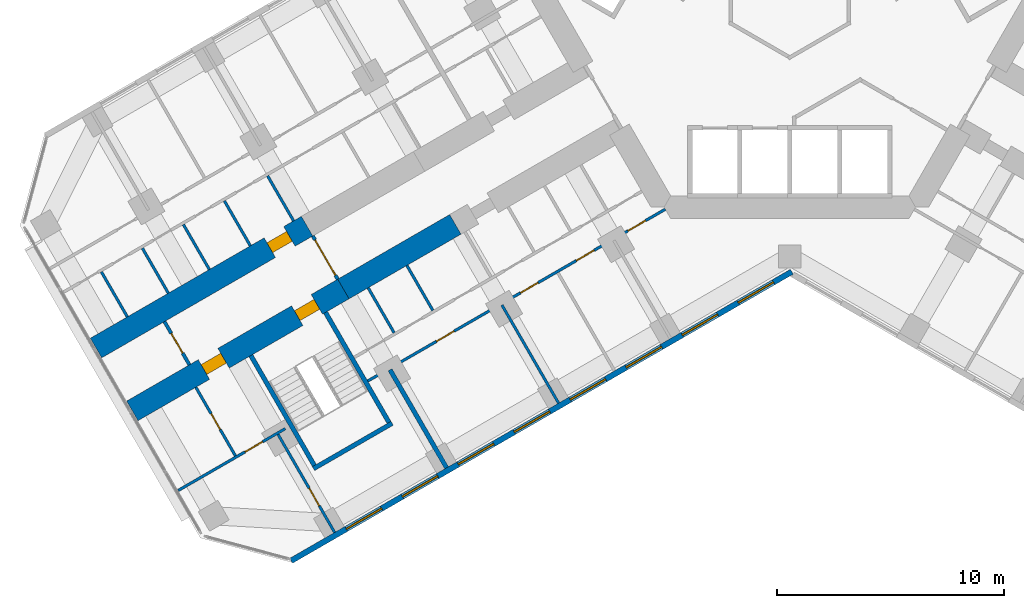
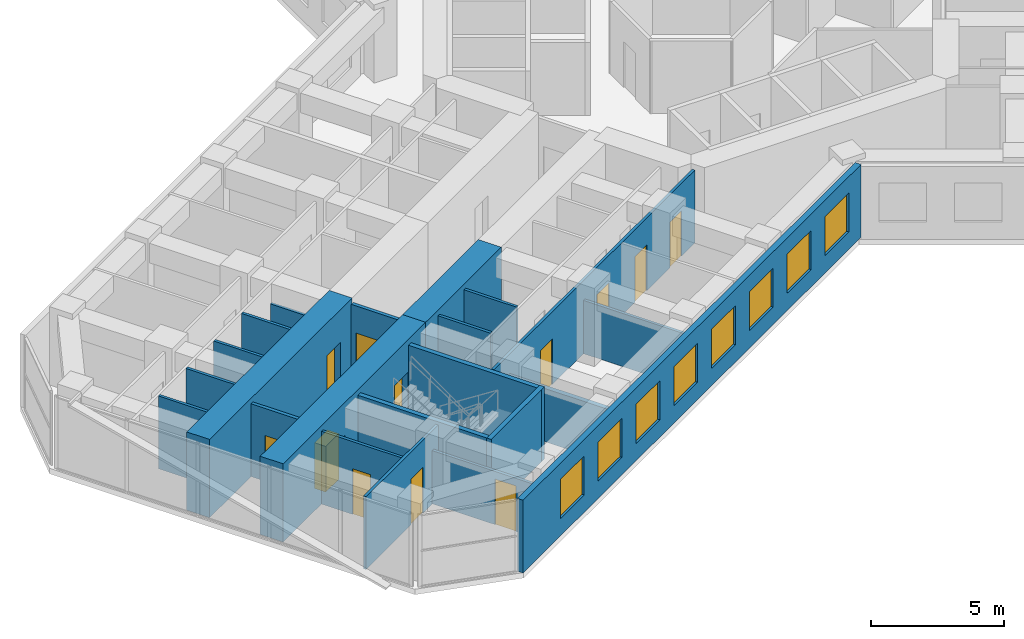
# One storey, part 10 of 21: 22 walls, 12 doors, 8 windows, 20 openings.
"""IFC4 building model written with IfcOpenShell, lengths in metres."""

from ifc_helpers import new_model, si_unit, direction, frame, frame_2d, origin, place, context, subcontext, project, spatial, rectangle, extrude, material, layer, layer_set, type_object, element, fill, save


model = new_model("IFC4")

# Units and contexts
model_context = context("Model", 3, precision=1e-05, world=origin(), true_north=direction((0.0, 1.0)))
body_context = subcontext(model_context, "Body", "Model", "MODEL_VIEW")
ifc_project = project(units=[si_unit("LENGTHUNIT", "METRE"), si_unit("AREAUNIT", "SQUARE_METRE"), si_unit("VOLUMEUNIT", "CUBIC_METRE"), si_unit("PLANEANGLEUNIT", "RADIAN"), si_unit("MASSUNIT", "GRAM", prefix="KILO")], contexts=[model_context])

# Site, building, storey
site_placement = place(None, origin())
site = spatial("IfcSite", under=ifc_project, at=site_placement, CompositionType="ELEMENT")
building_placement = place(site_placement, origin())
building = spatial("IfcBuilding", under=site, at=building_placement, Name="Kosmar Iwan School Tower", CompositionType="ELEMENT")
storey_placement = place(building_placement, frame((0.0, 0.0, 50.199951171875)))
storey = spatial("IfcBuildingStorey", under=building, at=storey_placement, Name="L11", CompositionType="ELEMENT", Elevation=50.199951171875)

# Wall
ifc_material_1 = material(Name="Concrete C50/60", Category="concrete")
ifc_layer_1 = layer(ifc_material_1, 1.0)
ifc_layer_set_1 = layer_set([ifc_layer_1], Name="Corridor buttress wall 1000")
wall_type_1 = type_object("IfcWallType", Name="Corridor buttress wall 1000", PredefinedType="SHEAR", material=ifc_layer_set_1)
wall_1_placement = place(storey_placement, frame((-14.7451171875, -10.360595703125, 0.0), z_axis=(0.0, 0.0, 1.0), x_axis=(-0.866015111908, -0.50001782563, 0.0)))
element("IfcWall", 1, at=wall_1_placement, inside=storey, type_object=wall_type_1, Name="Corridor wall BL bay 2", PredefinedType="SHEAR", context=body_context, shape_type="SweptSolid", body=[
    extrude(rectangle(XDim=5.699951171875, YDim=1.0, at=frame_2d((2.85009765625, 0.0))), origin(), (0.0, 0.0, 1.0), 3.60009765625),
])

# Wall, openings, doors
wall_2_placement = place(storey_placement, frame((-19.681396484375, -13.210693359375, 0.0), z_axis=(0.0, 0.0, 1.0), x_axis=(-0.866028186671, -0.499995179869, 0.0)))
wall_2 = element("IfcWall", 2, at=wall_2_placement, inside=storey, type_object=wall_type_1, Name="Corridor wall BL bay 3", PredefinedType="SHEAR", context=body_context, shape_type="SweptSolid", body=[
    extrude(rectangle(XDim=10.7451171875, YDim=1.0, at=frame_2d((5.37255859375, 0.0))), origin(), (0.0, 0.0, 1.0), 3.60009765625),
])
opening_1_placement = place(wall_2_placement, frame((6.10009765625, 0.0, 0.0)))
opening_1 = element("IfcOpeningElement", 3, at=opening_1_placement, cuts=wall_2, Name="Opening D1", PredefinedType="OPENING", context=body_context, shape_type="SweptSolid", body=[
    extrude(rectangle(XDim=1.0, YDim=2.10009765625, at=frame_2d((0.5, 1.050048828125))), frame((0.0, 0.511962890625, 0.0), z_axis=(0.0, -1.0, 0.0), x_axis=(1.0, 0.0, 0.0)), (0.0, 0.0, 1.0), 1.02392578125),
])
opening_2_placement = place(wall_2_placement, frame((1.35009765625, 0.0, 0.0)))
opening_2 = element("IfcOpeningElement", 4, at=opening_2_placement, cuts=wall_2, Name="Opening D6", PredefinedType="OPENING", context=body_context, shape_type="SweptSolid", body=[
    extrude(rectangle(XDim=1.0, YDim=2.10009765625, at=frame_2d((0.5, 1.050048828125))), frame((0.0, 0.511962890625, 0.0), z_axis=(0.0, -1.0, 0.0), x_axis=(1.0, 0.0, 0.0)), (0.0, 0.0, 1.0), 1.02392578125),
])
ifc_material_2 = material(Name="Timber fire door in steel frame", Category="steel")
door_type_1 = type_object("IfcDoorType", Name="Flat entrance door 1000x2100", OperationType="SINGLE_SWING_LEFT", PredefinedType="DOOR", material=ifc_material_2)
door_1_placement = place(opening_1_placement, origin())
door_1 = element("IfcDoor", 5, at=door_1_placement, inside=storey, type_object=door_type_1, Name="Flat L11-BL2 entrance door", OperationType="SINGLE_SWING_RIGHT", OverallHeight=2.10009765625, OverallWidth=1.0, PredefinedType="DOOR", context=body_context, shape_type="SweptSolid", body=[
    extrude(rectangle(XDim=1.0, YDim=2.10009765625, at=frame_2d((0.5, 1.050048828125))), frame((0.0, 0.25, 0.0), z_axis=(0.0, -1.0, 0.0), x_axis=(1.0, 0.0, 0.0)), (0.0, 0.0, 1.0), 0.5),
])
fill(opening_1, door_1)
ifc_material_3 = material(Name="Steel fire door", Category="steel")
door_type_2 = type_object("IfcDoorType", Name="Stair door 1000x2100", OperationType="SINGLE_SWING_LEFT", PredefinedType="DOOR", material=ifc_material_3)
door_2_placement = place(opening_2_placement, origin())
door_2 = element("IfcDoor", 6, at=door_2_placement, inside=storey, type_object=door_type_2, Name="Stair WS2 door L11", OperationType="SINGLE_SWING_LEFT", OverallHeight=2.10009765625, OverallWidth=1.0, PredefinedType="DOOR", context=body_context, shape_type="SweptSolid", body=[
    extrude(rectangle(XDim=1.0, YDim=2.10009765625, at=frame_2d((0.5, 1.050048828125))), frame((0.0, 0.25, 0.0), z_axis=(0.0, -1.0, 0.0), x_axis=(1.0, 0.0, 0.0)), (0.0, 0.0, 1.0), 0.5),
])
fill(opening_2, door_2)

# Wall, opening, door
wall_3_placement = place(storey_placement, frame((-21.281494140625, -10.439453125, 0.0), z_axis=(0.0, 0.0, 1.0), x_axis=(-0.866032345022, -0.499987977232, 0.0)))
wall_3 = element("IfcWall", 7, at=wall_3_placement, inside=storey, type_object=wall_type_1, Name="Corridor wall BR bay 3", PredefinedType="SHEAR", context=body_context, shape_type="SweptSolid", body=[
    extrude(rectangle(XDim=10.744873046875, YDim=1.0, at=frame_2d((5.37255859375, 0.0))), origin(), (0.0, 0.0, 1.0), 3.60009765625),
])
opening_3_placement = place(wall_3_placement, frame((0.89990234375, 0.0, 0.0)))
opening_3 = element("IfcOpeningElement", 8, at=opening_3_placement, cuts=wall_3, Name="Opening D1", PredefinedType="OPENING", context=body_context, shape_type="SweptSolid", body=[
    extrude(rectangle(XDim=1.0, YDim=2.10009765625, at=frame_2d((0.5, 1.050048828125))), frame((0.0, 0.511962890625, 0.0), z_axis=(0.0, -1.0, 0.0), x_axis=(1.0, 0.0, 0.0)), (0.0, 0.0, 1.0), 1.02392578125),
])
door_3_placement = place(opening_3_placement, origin())
door_3 = element("IfcDoor", 9, at=door_3_placement, inside=storey, type_object=door_type_1, Name="Flat L11-BR2 entrance door", OperationType="SINGLE_SWING_LEFT", OverallHeight=2.10009765625, OverallWidth=1.0, PredefinedType="DOOR", context=body_context, shape_type="SweptSolid", body=[
    extrude(rectangle(XDim=1.0, YDim=2.10009765625, at=frame_2d((0.5, 1.050048828125))), frame((0.0, 0.25, 0.0), z_axis=(0.0, -1.0, 0.0), x_axis=(1.0, 0.0, 0.0)), (0.0, 0.0, 1.0), 0.5),
])
fill(opening_3, door_3)

ifc_material_4 = material(Name="Gypsum board on steel studs, fire-rated", Category="steel")
ifc_layer_2 = layer(ifc_material_4, 0.14990234375)
ifc_layer_set_2 = layer_set([ifc_layer_2], Name="Corridor end wall 150")
wall_type_2 = type_object("IfcWallType", Name="Corridor end wall 150", PredefinedType="PARTITIONING", material=ifc_layer_set_2)
wall_4_placement = place(storey_placement, frame((-27.570068359375, -14.6474609375, 0.0), z_axis=(0.0, 0.0, 1.0), x_axis=(0.50002983664, -0.866008176907, 0.0)))
wall_4 = element("IfcWall", 10, at=wall_4_placement, inside=storey, type_object=wall_type_2, Name="Partition L11-B-CE", PredefinedType="PARTITIONING", context=body_context, shape_type="SweptSolid", body=[
    extrude(rectangle(XDim=2.199951171875, YDim=0.14990234375, at=frame_2d((1.10009765625, 0.0))), origin(), (0.0, 0.0, 1.0), 3.35009765625),
])
opening_4_placement = place(wall_4_placement, frame((0.60009765625, 0.0, 0.0)))
opening_4 = element("IfcOpeningElement", 11, at=opening_4_placement, cuts=wall_4, Name="Opening D13", PredefinedType="OPENING", context=body_context, shape_type="SweptSolid", body=[
    extrude(rectangle(XDim=1.0, YDim=2.10009765625, at=frame_2d((0.5, 1.050048828125))), frame((0.0, 0.0869140625, 0.0), z_axis=(0.0, -1.0, 0.0), x_axis=(1.0, 0.0, 0.0)), (0.0, 0.0, 1.0), 0.173828125),
])
ifc_material_5 = material(Name="Timber fire door with vision panel", Category="wood")
door_type_3 = type_object("IfcDoorType", Name="Corridor end door 1000x2100", OperationType="SINGLE_SWING_LEFT", PredefinedType="DOOR", material=ifc_material_5)
door_4_placement = place(opening_4_placement, origin())
door_4 = element("IfcDoor", 12, at=door_4_placement, inside=storey, type_object=door_type_3, Name="Children's play room door L11-B", OperationType="SINGLE_SWING_LEFT", OverallHeight=2.10009765625, OverallWidth=1.0, PredefinedType="DOOR", context=body_context, shape_type="SweptSolid", body=[
    extrude(rectangle(XDim=1.0, YDim=2.10009765625, at=frame_2d((0.5, 1.050048828125))), frame((0.0, 0.02490234375, 0.0), z_axis=(0.0, -1.0, 0.0), x_axis=(1.0, 0.0, 0.0)), (0.0, 0.0, 1.0), 0.050048828125),
])
fill(opening_4, door_4)

wall_5_placement = place(storey_placement, frame((-21.031494140625, -10.872314453125, 0.0), z_axis=(0.0, 0.0, 1.0), x_axis=(0.50002983664, -0.866008176907, 0.0)))
wall_5 = element("IfcWall", 13, at=wall_5_placement, inside=storey, type_object=wall_type_2, Name="Partition L11-B-HW", PredefinedType="PARTITIONING", context=body_context, shape_type="SweptSolid", body=[
    extrude(rectangle(XDim=2.199951171875, YDim=0.14990234375, at=frame_2d((1.10009765625, 0.0))), origin(), (0.0, 0.0, 1.0), 3.35009765625),
])
opening_5_placement = place(wall_5_placement, frame((0.199951171875, 0.0, 0.0)))
opening_5 = element("IfcOpeningElement", 14, at=opening_5_placement, cuts=wall_5, Name="Opening D9", PredefinedType="OPENING", context=body_context, shape_type="SweptSolid", body=[
    extrude(rectangle(XDim=1.800048828125, YDim=2.10009765625, at=frame_2d((0.89990234375, 1.050048828125))), frame((0.0, 0.0869140625, 0.0), z_axis=(0.0, -1.0, 0.0), x_axis=(1.0, 0.0, 0.0)), (0.0, 0.0, 1.0), 0.173828125),
])
ifc_material_6 = material(Name="Steel framed glazed smoke door", Category="steel")
door_type_4 = type_object("IfcDoorType", Name="Corridor smoke door pair 1800x2100", OperationType="DOUBLE_DOOR_DOUBLE_SWING", PredefinedType="DOOR", material=ifc_material_6)
door_5_placement = place(opening_5_placement, origin())
door_5 = element("IfcDoor", 15, at=door_5_placement, inside=storey, type_object=door_type_4, Name="Entrance vestibule smoke doors L11-B", OperationType="DOUBLE_DOOR_DOUBLE_SWING", OverallHeight=2.10009765625, OverallWidth=1.800048828125, PredefinedType="DOOR", context=body_context, shape_type="SweptSolid", body=[
    extrude(rectangle(XDim=1.800048828125, YDim=2.10009765625, at=frame_2d((0.89990234375, 1.050048828125))), frame((0.0, 0.02490234375, 0.0), z_axis=(0.0, -1.0, 0.0), x_axis=(1.0, 0.0, 0.0)), (0.0, 0.0, 1.0), 0.050048828125),
])
fill(opening_5, door_5)

# Wall, openings, doors
ifc_material_7 = material(Name="Gypsum board on steel studs", Category="steel")
ifc_layer_3 = layer(ifc_material_7, 0.1201171875)
ifc_layer_set_3 = layer_set([ifc_layer_3], Name="Dwelling partition 120")
wall_type_3 = type_object("IfcWallType", Name="Dwelling partition 120", PredefinedType="PARTITIONING", material=ifc_layer_set_3)
wall_6_placement = place(storey_placement, frame((-5.48876953125, -9.693115234375, 0.0), z_axis=(0.0, 0.0, 1.0), x_axis=(-0.866028061085, -0.499995397393, 0.0)))
wall_6 = element("IfcWall", 16, at=wall_6_placement, inside=storey, type_object=wall_type_3, Name="Partition L11-BL1-W2", PredefinedType="PARTITIONING", context=body_context, shape_type="SweptSolid", body=[
    extrude(rectangle(XDim=15.150146484375, YDim=0.1201171875, at=frame_2d((7.5751953125, 0.0))), origin(), (0.0, 0.0, 1.0), 3.35009765625),
])
opening_6_placement = place(wall_6_placement, frame((1.0, 0.0, 0.0)))
opening_6 = element("IfcOpeningElement", 17, at=opening_6_placement, cuts=wall_6, Name="Opening D2", PredefinedType="OPENING", context=body_context, shape_type="SweptSolid", body=[
    extrude(rectangle(XDim=0.89990234375, YDim=2.10009765625, at=frame_2d((0.449951171875, 1.050048828125))), frame((0.0, 0.072021484375, 0.0), z_axis=(0.0, -1.0, 0.0), x_axis=(1.0, 0.0, 0.0)), (0.0, 0.0, 1.0), 0.14404296875),
])
opening_7_placement = place(wall_6_placement, frame((3.625, 0.0, 0.0)))
opening_7 = element("IfcOpeningElement", 18, at=opening_7_placement, cuts=wall_6, Name="Opening D2", PredefinedType="OPENING", context=body_context, shape_type="SweptSolid", body=[
    extrude(rectangle(XDim=0.89990234375, YDim=2.10009765625, at=frame_2d((0.449951171875, 1.050048828125))), frame((0.0, 0.072021484375, 0.0), z_axis=(0.0, -1.0, 0.0), x_axis=(1.0, 0.0, 0.0)), (0.0, 0.0, 1.0), 0.14404296875),
])
opening_8_placement = place(wall_6_placement, frame((6.47509765625, 0.0, 0.0)))
opening_8 = element("IfcOpeningElement", 19, at=opening_8_placement, cuts=wall_6, Name="Opening D2", PredefinedType="OPENING", context=body_context, shape_type="SweptSolid", body=[
    extrude(rectangle(XDim=0.89990234375, YDim=2.10009765625, at=frame_2d((0.449951171875, 1.050048828125))), frame((0.0, 0.072021484375, 0.0), z_axis=(0.0, -1.0, 0.0), x_axis=(1.0, 0.0, 0.0)), (0.0, 0.0, 1.0), 0.14404296875),
])
opening_9_placement = place(wall_6_placement, frame((10.75, 0.0, 0.0)))
opening_9 = element("IfcOpeningElement", 20, at=opening_9_placement, cuts=wall_6, Name="Opening D2", PredefinedType="OPENING", context=body_context, shape_type="SweptSolid", body=[
    extrude(rectangle(XDim=0.89990234375, YDim=2.10009765625, at=frame_2d((0.449951171875, 1.050048828125))), frame((0.0, 0.072021484375, 0.0), z_axis=(0.0, -1.0, 0.0), x_axis=(1.0, 0.0, 0.0)), (0.0, 0.0, 1.0), 0.14404296875),
])
ifc_material_8 = material(Name="Timber door in timber frame", Category="wood")
door_type_5 = type_object("IfcDoorType", Name="Internal door 900x2100", OperationType="SINGLE_SWING_LEFT", PredefinedType="DOOR", material=ifc_material_8)
door_6_placement = place(opening_6_placement, origin())
door_6 = element("IfcDoor", 21, at=door_6_placement, inside=storey, type_object=door_type_5, Name="Family room door L11-BL1-F1", OperationType="SINGLE_SWING_LEFT", OverallHeight=2.10009765625, OverallWidth=0.89990234375, PredefinedType="DOOR", context=body_context, shape_type="SweptSolid", body=[
    extrude(rectangle(XDim=0.89990234375, YDim=2.10009765625, at=frame_2d((0.449951171875, 1.050048828125))), frame((0.0, 0.02490234375, 0.0), z_axis=(0.0, -1.0, 0.0), x_axis=(1.0, 0.0, 0.0)), (0.0, 0.0, 1.0), 0.050048828125),
])
fill(opening_6, door_6)
door_7_placement = place(opening_7_placement, origin())
door_7 = element("IfcDoor", 22, at=door_7_placement, inside=storey, type_object=door_type_5, Name="Study door L11-BL1-F2", OperationType="SINGLE_SWING_LEFT", OverallHeight=2.10009765625, OverallWidth=0.89990234375, PredefinedType="DOOR", context=body_context, shape_type="SweptSolid", body=[
    extrude(rectangle(XDim=0.89990234375, YDim=2.10009765625, at=frame_2d((0.449951171875, 1.050048828125))), frame((0.0, 0.02490234375, 0.0), z_axis=(0.0, -1.0, 0.0), x_axis=(1.0, 0.0, 0.0)), (0.0, 0.0, 1.0), 0.050048828125),
])
fill(opening_7, door_7)
door_8_placement = place(opening_8_placement, origin())
door_8 = element("IfcDoor", 23, at=door_8_placement, inside=storey, type_object=door_type_5, Name="Bedroom 1 door L11-BL1-F3", OperationType="SINGLE_SWING_RIGHT", OverallHeight=2.10009765625, OverallWidth=0.89990234375, PredefinedType="DOOR", context=body_context, shape_type="SweptSolid", body=[
    extrude(rectangle(XDim=0.89990234375, YDim=2.10009765625, at=frame_2d((0.449951171875, 1.050048828125))), frame((0.0, 0.02490234375, 0.0), z_axis=(0.0, -1.0, 0.0), x_axis=(1.0, 0.0, 0.0)), (0.0, 0.0, 1.0), 0.050048828125),
])
fill(opening_8, door_8)
door_9_placement = place(opening_9_placement, origin())
door_9 = element("IfcDoor", 24, at=door_9_placement, inside=storey, type_object=door_type_5, Name="Living room and kitchen door L11-BL1-F4", OperationType="SINGLE_SWING_LEFT", OverallHeight=2.10009765625, OverallWidth=0.89990234375, PredefinedType="DOOR", context=body_context, shape_type="SweptSolid", body=[
    extrude(rectangle(XDim=0.89990234375, YDim=2.10009765625, at=frame_2d((0.449951171875, 1.050048828125))), frame((0.0, 0.02490234375, 0.0), z_axis=(0.0, -1.0, 0.0), x_axis=(1.0, 0.0, 0.0)), (0.0, 0.0, 1.0), 0.050048828125),
])
fill(opening_9, door_9)

# Walls
wall_7_placement = place(storey_placement, frame((-12.690185546875, -13.919921875, 0.0), z_axis=(0.0, 0.0, 1.0), x_axis=(0.500011847778, -0.866018563358, 0.0)))
element("IfcWall", 25, at=wall_7_placement, inside=storey, type_object=wall_type_3, Name="Partition L11-BL1-X3", PredefinedType="PARTITIONING", context=body_context, shape_type="SweptSolid", body=[
    extrude(rectangle(XDim=4.990234375, YDim=0.1201171875, at=frame_2d((2.4951171875, 0.0))), origin(), (0.0, 0.0, 1.0), 2.449951171875),
])
wall_8_placement = place(storey_placement, frame((-16.8828125, -12.172119140625, 0.0), z_axis=(0.0, 0.0, 1.0), x_axis=(0.499968531483, -0.866043571379, 0.0)))
element("IfcWall", 26, at=wall_8_placement, inside=storey, type_object=wall_type_3, Name="Partition L11-BL1-Y5", PredefinedType="PARTITIONING", context=body_context, shape_type="SweptSolid", body=[
    extrude(rectangle(XDim=2.290283203125, YDim=0.1201171875, at=frame_2d((1.14501953125, 0.0))), origin(), (0.0, 0.0, 1.0), 3.35009765625),
])
wall_9_placement = place(storey_placement, frame((-18.59033203125, -13.157958984375, 0.0), z_axis=(0.0, 0.0, 1.0), x_axis=(0.500014693593, -0.866016920268, 0.0)))
element("IfcWall", 27, at=wall_9_placement, inside=storey, type_object=wall_type_3, Name="Partition L11-BL1-Y6", PredefinedType="PARTITIONING", context=body_context, shape_type="SweptSolid", body=[
    extrude(rectangle(XDim=2.2900390625, YDim=0.1201171875, at=frame_2d((1.14501953125, 0.0))), origin(), (0.0, 0.0, 1.0), 3.35009765625),
])

# Wall, opening, door
wall_10_placement = place(storey_placement, frame((-22.562744140625, -19.6201171875, 0.0), z_axis=(0.0, 0.0, 1.0), x_axis=(0.499996339024, -0.86602751744, 0.0)))
wall_10 = element("IfcWall", 28, at=wall_10_placement, inside=storey, type_object=wall_type_3, Name="Partition L11-BL2-TX", PredefinedType="PARTITIONING", context=body_context, shape_type="SweptSolid", body=[
    extrude(rectangle(XDim=4.98974609375, YDim=0.1201171875, at=frame_2d((2.494873046875, 0.0))), origin(), (0.0, 0.0, 1.0), 2.449951171875),
])
opening_10_placement = place(wall_10_placement, frame((2.739990234375, 0.0, 0.0)))
opening_10 = element("IfcOpeningElement", 29, at=opening_10_placement, cuts=wall_10, Name="Opening D2", PredefinedType="OPENING", context=body_context, shape_type="SweptSolid", body=[
    extrude(rectangle(XDim=0.89990234375, YDim=2.10009765625, at=frame_2d((0.449951171875, 1.050048828125))), frame((0.0, 0.072021484375, 0.0), z_axis=(0.0, -1.0, 0.0), x_axis=(1.0, 0.0, 0.0)), (0.0, 0.0, 1.0), 0.14404296875),
])
door_10_placement = place(opening_10_placement, origin())
door_10 = element("IfcDoor", 30, at=door_10_placement, inside=storey, type_object=door_type_5, Name="Bedroom 1 door L11-BL2-T1", OperationType="SINGLE_SWING_RIGHT", OverallHeight=2.10009765625, OverallWidth=0.89990234375, PredefinedType="DOOR", context=body_context, shape_type="SweptSolid", body=[
    extrude(rectangle(XDim=0.89990234375, YDim=2.10009765625, at=frame_2d((0.449951171875, 1.050048828125))), frame((0.0, 0.02490234375, 0.0), z_axis=(0.0, -1.0, 0.0), x_axis=(1.0, 0.0, 0.0)), (0.0, 0.0, 1.0), 0.050048828125),
])
fill(opening_10, door_10)

wall_11_placement = place(storey_placement, frame((-22.246337890625, -19.3681640625, 0.0), z_axis=(0.0, 0.0, 1.0), x_axis=(-0.866035508231, -0.499982498177, 0.0)))
wall_11 = element("IfcWall", 31, at=wall_11_placement, inside=storey, type_object=wall_type_3, Name="Partition L11-BL2-TW", PredefinedType="PARTITIONING", context=body_context, shape_type="SweptSolid", body=[
    extrude(rectangle(XDim=5.445068359375, YDim=0.1201171875, at=frame_2d((2.72265625, 0.0))), origin(), (0.0, 0.0, 1.0), 3.35009765625),
])
opening_11_placement = place(wall_11_placement, frame((1.14990234375, 0.0, 0.0)))
opening_11 = element("IfcOpeningElement", 32, at=opening_11_placement, cuts=wall_11, Name="Opening D2", PredefinedType="OPENING", context=body_context, shape_type="SweptSolid", body=[
    extrude(rectangle(XDim=0.89990234375, YDim=2.10009765625, at=frame_2d((0.449951171875, 1.050048828125))), frame((0.0, 0.072021484375, 0.0), z_axis=(0.0, -1.0, 0.0), x_axis=(1.0, 0.0, 0.0)), (0.0, 0.0, 1.0), 0.14404296875),
])
door_11_placement = place(opening_11_placement, origin())
door_11 = element("IfcDoor", 33, at=door_11_placement, inside=storey, type_object=door_type_5, Name="Entrance hall door L11-BL2-T3", OperationType="SINGLE_SWING_LEFT", OverallHeight=2.10009765625, OverallWidth=0.89990234375, PredefinedType="DOOR", context=body_context, shape_type="SweptSolid", body=[
    extrude(rectangle(XDim=0.89990234375, YDim=2.10009765625, at=frame_2d((0.449951171875, 1.050048828125))), frame((0.0, 0.02490234375, 0.0), z_axis=(0.0, -1.0, 0.0), x_axis=(1.0, 0.0, 0.0)), (0.0, 0.0, 1.0), 0.050048828125),
])
fill(opening_11, door_11)

wall_12_placement = place(storey_placement, frame((-26.1865234375, -17.543701171875, 0.0), z_axis=(0.0, 0.0, 1.0), x_axis=(0.50002117804, -0.866013176292, 0.0)))
wall_12 = element("IfcWall", 34, at=wall_12_placement, inside=storey, type_object=wall_type_3, Name="Partition L11-BL2-TY", PredefinedType="PARTITIONING", context=body_context, shape_type="SweptSolid", body=[
    extrude(rectangle(XDim=3.489990234375, YDim=0.1201171875, at=frame_2d((1.7451171875, 0.0))), origin(), (0.0, 0.0, 1.0), 3.35009765625),
])
opening_12_placement = place(wall_12_placement, frame((1.344970703125, 0.0, 0.0)))
opening_12 = element("IfcOpeningElement", 35, at=opening_12_placement, cuts=wall_12, Name="Opening D3", PredefinedType="OPENING", context=body_context, shape_type="SweptSolid", body=[
    extrude(rectangle(XDim=0.800048828125, YDim=2.10009765625, at=frame_2d((0.39990234375, 1.050048828125))), frame((0.0, 0.072021484375, 0.0), z_axis=(0.0, -1.0, 0.0), x_axis=(1.0, 0.0, 0.0)), (0.0, 0.0, 1.0), 0.14404296875),
])
ifc_material_9 = material(Name="Timber door in timber frame", Category="wood")
door_type_6 = type_object("IfcDoorType", Name="Sanitary room door 800x2100", OperationType="SINGLE_SWING_LEFT", PredefinedType="DOOR", material=ifc_material_9)
door_12_placement = place(opening_12_placement, origin())
door_12 = element("IfcDoor", 36, at=door_12_placement, inside=storey, type_object=door_type_6, Name="Bathroom door L11-BL2-T4", OperationType="SINGLE_SWING_LEFT", OverallHeight=2.10009765625, OverallWidth=0.800048828125, PredefinedType="DOOR", context=body_context, shape_type="SweptSolid", body=[
    extrude(rectangle(XDim=0.800048828125, YDim=2.10009765625, at=frame_2d((0.39990234375, 1.050048828125))), frame((0.0, 0.02490234375, 0.0), z_axis=(0.0, -1.0, 0.0), x_axis=(1.0, 0.0, 0.0)), (0.0, 0.0, 1.0), 0.050048828125),
])
fill(opening_12, door_12)

# Walls
wall_13_placement = place(storey_placement, frame((-21.8779296875, -10.206298828125, 0.0), z_axis=(0.0, 0.0, 1.0), x_axis=(-0.500014693593, 0.866016920268, 0.0)))
element("IfcWall", 37, at=wall_13_placement, inside=storey, type_object=wall_type_3, Name="Partition L11-BR2-Y3", PredefinedType="PARTITIONING", context=body_context, shape_type="SweptSolid", body=[
    extrude(rectangle(XDim=2.2900390625, YDim=0.1201171875, at=frame_2d((1.14501953125, 0.0))), origin(), (0.0, 0.0, 1.0), 2.449951171875),
])
for number, where, z_axis, x_axis, name in (
    (38, (-23.783203125, -11.306396484375, 0.0), (0.0, 0.0, 1.0), (-0.500014693593, 0.866016920268, 0.0), "Partition L11-BR2-Y4"),
    (39, (-25.591064453125, -12.35009765625, 0.0), (0.0, 0.0, 1.0), (-0.500014693593, 0.866016920268, 0.0), "Partition L11-BR2-Y5"),
    (40, (-27.39892578125, -13.393798828125, 0.0), (0.0, 0.0, 1.0), (-0.500014693593, 0.866016920268, 0.0), "Partition L11-BR2-Y6"),
    (41, (-29.20654296875, -14.4375, 0.0), (0.0, 0.0, 1.0), (-0.500014693593, 0.866016920268, 0.0), "Partition L11-BR2-Y7"),
):
    element("IfcWall", number, at=place(storey_placement, frame(where, z_axis=z_axis, x_axis=x_axis)), inside=storey, type_object=wall_type_3, Name=name, PredefinedType="PARTITIONING", context=body_context, shape_type="SweptSolid", body=[
        extrude(rectangle(XDim=2.2900390625, YDim=0.1201171875, at=frame_2d((1.14501953125, 0.0))), origin(), (0.0, 0.0, 1.0), 3.35009765625),
    ])
ifc_material_10 = material(Name="Concrete C35/45", Category="concrete")
ifc_layer_4 = layer(ifc_material_10, 0.199951171875)
ifc_layer_set_4 = layer_set([ifc_layer_4], Name="Escape stair wall 200")
wall_type_4 = type_object("IfcWallType", Name="Escape stair wall 200", PredefinedType="SHEAR", material=ifc_layer_set_4)
for number, where, z_axis, x_axis, name in (
    (42, (-20.470703125, -14.24365234375, 0.0), (0.0, 0.0, 1.0), (0.499987231761, -0.866032775405, 0.0), "Stair WS2 wall"),
    (43, (-23.76171875, -16.1435546875, 0.0), (0.0, 0.0, 1.0), (0.500018801468, -0.86601454848, 0.0), "Stair WS2 wall"),
):
    element("IfcWall", number, at=place(storey_placement, frame(where, z_axis=z_axis, x_axis=x_axis)), inside=storey, type_object=wall_type_4, Name=name, PredefinedType="SHEAR", context=body_context, shape_type="SweptSolid", body=[
        extrude(rectangle(XDim=5.800048828125, YDim=0.199951171875, at=frame_2d((2.89990234375, 0.0))), origin(), (0.0, 0.0, 1.0), 3.330078125),
    ])
wall_14_placement = place(storey_placement, frame((-17.5341796875, -19.1298828125, 0.0), z_axis=(0.0, 0.0, 1.0), x_axis=(-0.866026010844, -0.49999894854, 0.0)))
element("IfcWall", 44, at=wall_14_placement, inside=storey, type_object=wall_type_4, Name="Stair WS2 wall", PredefinedType="SHEAR", context=body_context, shape_type="SweptSolid", body=[
    extrude(rectangle(XDim=4.0, YDim=0.199951171875, at=frame_2d((2.0, 0.0))), origin(), (0.0, 0.0, 1.0), 3.330078125),
])

# Wall, openings, windows
ifc_material_11 = material(Name="Black aluminium rainscreen on insulated framing", Category="aluminium")
ifc_layer_5 = layer(ifc_material_11, 0.25)
ifc_layer_set_5 = layer_set([ifc_layer_5], Name="External wall rainscreen 250")
wall_type_5 = type_object("IfcWallType", Name="External wall rainscreen 250", PredefinedType="SOLIDWALL", material=ifc_layer_set_5)
wall_15_placement = place(storey_placement, frame((0.088134765625, -12.44873046875, 0.0), z_axis=(0.0, 0.0, 1.0), x_axis=(-0.866026390279, -0.499998291337, 0.0)))
wall_15 = element("IfcWall", 45, at=wall_15_placement, inside=storey, type_object=wall_type_5, Name="External wall BL L11", PredefinedType="SOLIDWALL", context=body_context, shape_type="SweptSolid", body=[
    extrude(rectangle(XDim=25.4873046875, YDim=0.25, at=frame_2d((12.74365234375, 0.0))), origin(), (0.0, 0.0, 1.0), 3.35009765625),
])
opening_13_placement = place(wall_15_placement, frame((0.927001953125, 0.0, 0.800048828125)))
opening_13 = element("IfcOpeningElement", 46, at=opening_13_placement, cuts=wall_15, Name="Opening W1", PredefinedType="OPENING", context=body_context, shape_type="SweptSolid", body=[
    extrude(rectangle(XDim=1.800048828125, YDim=1.800048828125, at=frame_2d((0.89990234375, 0.89990234375))), frame((0.0, 0.136962890625, 0.0), z_axis=(0.0, -1.0, 0.0), x_axis=(1.0, 0.0, 0.0)), (0.0, 0.0, 1.0), 0.27392578125),
])
opening_14_placement = place(wall_15_placement, frame((3.777099609375, 0.0, 0.800048828125)))
opening_14 = element("IfcOpeningElement", 47, at=opening_14_placement, cuts=wall_15, Name="Opening W1", PredefinedType="OPENING", context=body_context, shape_type="SweptSolid", body=[
    extrude(rectangle(XDim=1.800048828125, YDim=1.800048828125, at=frame_2d((0.89990234375, 0.89990234375))), frame((0.0, 0.136962890625, 0.0), z_axis=(0.0, -1.0, 0.0), x_axis=(1.0, 0.0, 0.0)), (0.0, 0.0, 1.0), 0.27392578125),
])
opening_15_placement = place(wall_15_placement, frame((6.626953125, 0.0, 0.800048828125)))
opening_15 = element("IfcOpeningElement", 48, at=opening_15_placement, cuts=wall_15, Name="Opening W1", PredefinedType="OPENING", context=body_context, shape_type="SweptSolid", body=[
    extrude(rectangle(XDim=1.800048828125, YDim=1.800048828125, at=frame_2d((0.89990234375, 0.89990234375))), frame((0.0, 0.136962890625, 0.0), z_axis=(0.0, -1.0, 0.0), x_axis=(1.0, 0.0, 0.0)), (0.0, 0.0, 1.0), 0.27392578125),
])
opening_16_placement = place(wall_15_placement, frame((9.47705078125, 0.0, 0.800048828125)))
opening_16 = element("IfcOpeningElement", 49, at=opening_16_placement, cuts=wall_15, Name="Opening W1", PredefinedType="OPENING", context=body_context, shape_type="SweptSolid", body=[
    extrude(rectangle(XDim=1.800048828125, YDim=1.800048828125, at=frame_2d((0.89990234375, 0.89990234375))), frame((0.0, 0.136962890625, 0.0), z_axis=(0.0, -1.0, 0.0), x_axis=(1.0, 0.0, 0.0)), (0.0, 0.0, 1.0), 0.27392578125),
])
opening_17_placement = place(wall_15_placement, frame((12.326904296875, 0.0, 0.800048828125)))
opening_17 = element("IfcOpeningElement", 50, at=opening_17_placement, cuts=wall_15, Name="Opening W1", PredefinedType="OPENING", context=body_context, shape_type="SweptSolid", body=[
    extrude(rectangle(XDim=1.800048828125, YDim=1.800048828125, at=frame_2d((0.89990234375, 0.89990234375))), frame((0.0, 0.136962890625, 0.0), z_axis=(0.0, -1.0, 0.0), x_axis=(1.0, 0.0, 0.0)), (0.0, 0.0, 1.0), 0.27392578125),
])
opening_18_placement = place(wall_15_placement, frame((15.177001953125, 0.0, 0.800048828125)))
opening_18 = element("IfcOpeningElement", 51, at=opening_18_placement, cuts=wall_15, Name="Opening W1", PredefinedType="OPENING", context=body_context, shape_type="SweptSolid", body=[
    extrude(rectangle(XDim=1.800048828125, YDim=1.800048828125, at=frame_2d((0.89990234375, 0.89990234375))), frame((0.0, 0.136962890625, 0.0), z_axis=(0.0, -1.0, 0.0), x_axis=(1.0, 0.0, 0.0)), (0.0, 0.0, 1.0), 0.27392578125),
])
opening_19_placement = place(wall_15_placement, frame((18.027099609375, 0.0, 0.800048828125)))
opening_19 = element("IfcOpeningElement", 52, at=opening_19_placement, cuts=wall_15, Name="Opening W1", PredefinedType="OPENING", context=body_context, shape_type="SweptSolid", body=[
    extrude(rectangle(XDim=1.800048828125, YDim=1.800048828125, at=frame_2d((0.89990234375, 0.89990234375))), frame((0.0, 0.136962890625, 0.0), z_axis=(0.0, -1.0, 0.0), x_axis=(1.0, 0.0, 0.0)), (0.0, 0.0, 1.0), 0.27392578125),
])
opening_20_placement = place(wall_15_placement, frame((20.876953125, 0.0, 0.800048828125)))
opening_20 = element("IfcOpeningElement", 53, at=opening_20_placement, cuts=wall_15, Name="Opening W1", PredefinedType="OPENING", context=body_context, shape_type="SweptSolid", body=[
    extrude(rectangle(XDim=1.800048828125, YDim=1.800048828125, at=frame_2d((0.89990234375, 0.89990234375))), frame((0.0, 0.136962890625, 0.0), z_axis=(0.0, -1.0, 0.0), x_axis=(1.0, 0.0, 0.0)), (0.0, 0.0, 1.0), 0.27392578125),
])
ifc_material_12 = material(Name="Black aluminium frame with dark triple glazing", Category="aluminium")
window_type = type_object("IfcWindowType", Name="Window 1800x1800", PartitioningType="SINGLE_PANEL", PredefinedType="WINDOW", material=ifc_material_12)
window_1_placement = place(opening_13_placement, origin())
window_1 = element("IfcWindow", 54, at=window_1_placement, inside=storey, type_object=window_type, Name="Window BL L11 -1", OverallHeight=1.800048828125, OverallWidth=1.800048828125, PartitioningType="SINGLE_PANEL", PredefinedType="WINDOW", context=body_context, shape_type="SweptSolid", body=[
    extrude(rectangle(XDim=1.800048828125, YDim=1.800048828125, at=frame_2d((0.89990234375, 0.89990234375))), frame((0.0, 0.030029296875, 0.0), z_axis=(0.0, -1.0, 0.0), x_axis=(1.0, 0.0, 0.0)), (0.0, 0.0, 1.0), 0.06005859375),
])
fill(opening_13, window_1)
window_2_placement = place(opening_14_placement, origin())
window_2 = element("IfcWindow", 55, at=window_2_placement, inside=storey, type_object=window_type, Name="Window BL L11 0", OverallHeight=1.800048828125, OverallWidth=1.800048828125, PartitioningType="SINGLE_PANEL", PredefinedType="WINDOW", context=body_context, shape_type="SweptSolid", body=[
    extrude(rectangle(XDim=1.800048828125, YDim=1.800048828125, at=frame_2d((0.89990234375, 0.89990234375))), frame((0.0, 0.030029296875, 0.0), z_axis=(0.0, -1.0, 0.0), x_axis=(1.0, 0.0, 0.0)), (0.0, 0.0, 1.0), 0.06005859375),
])
fill(opening_14, window_2)
window_3_placement = place(opening_15_placement, origin())
window_3 = element("IfcWindow", 56, at=window_3_placement, inside=storey, type_object=window_type, Name="Window BL L11 1", OverallHeight=1.800048828125, OverallWidth=1.800048828125, PartitioningType="SINGLE_PANEL", PredefinedType="WINDOW", context=body_context, shape_type="SweptSolid", body=[
    extrude(rectangle(XDim=1.800048828125, YDim=1.800048828125, at=frame_2d((0.89990234375, 0.89990234375))), frame((0.0, 0.030029296875, 0.0), z_axis=(0.0, -1.0, 0.0), x_axis=(1.0, 0.0, 0.0)), (0.0, 0.0, 1.0), 0.06005859375),
])
fill(opening_15, window_3)
window_4_placement = place(opening_16_placement, origin())
window_4 = element("IfcWindow", 57, at=window_4_placement, inside=storey, type_object=window_type, Name="Window BL L11 2", OverallHeight=1.800048828125, OverallWidth=1.800048828125, PartitioningType="SINGLE_PANEL", PredefinedType="WINDOW", context=body_context, shape_type="SweptSolid", body=[
    extrude(rectangle(XDim=1.800048828125, YDim=1.800048828125, at=frame_2d((0.89990234375, 0.89990234375))), frame((0.0, 0.030029296875, 0.0), z_axis=(0.0, -1.0, 0.0), x_axis=(1.0, 0.0, 0.0)), (0.0, 0.0, 1.0), 0.06005859375),
])
fill(opening_16, window_4)
window_5_placement = place(opening_17_placement, origin())
window_5 = element("IfcWindow", 58, at=window_5_placement, inside=storey, type_object=window_type, Name="Window BL L11 3", OverallHeight=1.800048828125, OverallWidth=1.800048828125, PartitioningType="SINGLE_PANEL", PredefinedType="WINDOW", context=body_context, shape_type="SweptSolid", body=[
    extrude(rectangle(XDim=1.800048828125, YDim=1.800048828125, at=frame_2d((0.89990234375, 0.89990234375))), frame((0.0, 0.030029296875, 0.0), z_axis=(0.0, -1.0, 0.0), x_axis=(1.0, 0.0, 0.0)), (0.0, 0.0, 1.0), 0.06005859375),
])
fill(opening_17, window_5)
window_6_placement = place(opening_18_placement, origin())
window_6 = element("IfcWindow", 59, at=window_6_placement, inside=storey, type_object=window_type, Name="Window BL L11 4", OverallHeight=1.800048828125, OverallWidth=1.800048828125, PartitioningType="SINGLE_PANEL", PredefinedType="WINDOW", context=body_context, shape_type="SweptSolid", body=[
    extrude(rectangle(XDim=1.800048828125, YDim=1.800048828125, at=frame_2d((0.89990234375, 0.89990234375))), frame((0.0, 0.030029296875, 0.0), z_axis=(0.0, -1.0, 0.0), x_axis=(1.0, 0.0, 0.0)), (0.0, 0.0, 1.0), 0.06005859375),
])
fill(opening_18, window_6)
window_7_placement = place(opening_19_placement, origin())
window_7 = element("IfcWindow", 60, at=window_7_placement, inside=storey, type_object=window_type, Name="Window BL L11 5", OverallHeight=1.800048828125, OverallWidth=1.800048828125, PartitioningType="SINGLE_PANEL", PredefinedType="WINDOW", context=body_context, shape_type="SweptSolid", body=[
    extrude(rectangle(XDim=1.800048828125, YDim=1.800048828125, at=frame_2d((0.89990234375, 0.89990234375))), frame((0.0, 0.030029296875, 0.0), z_axis=(0.0, -1.0, 0.0), x_axis=(1.0, 0.0, 0.0)), (0.0, 0.0, 1.0), 0.06005859375),
])
fill(opening_19, window_7)
window_8_placement = place(opening_20_placement, origin())
window_8 = element("IfcWindow", 61, at=window_8_placement, inside=storey, type_object=window_type, Name="Window BL L11 6", OverallHeight=1.800048828125, OverallWidth=1.800048828125, PartitioningType="SINGLE_PANEL", PredefinedType="WINDOW", context=body_context, shape_type="SweptSolid", body=[
    extrude(rectangle(XDim=1.800048828125, YDim=1.800048828125, at=frame_2d((0.89990234375, 0.89990234375))), frame((0.0, 0.030029296875, 0.0), z_axis=(0.0, -1.0, 0.0), x_axis=(1.0, 0.0, 0.0)), (0.0, 0.0, 1.0), 0.06005859375),
])
fill(opening_20, window_8)

# Wall
ifc_material_13 = material(Name="Concrete block masonry", Category="masonry")
ifc_layer_6 = layer(ifc_material_13, 0.199951171875)
ifc_layer_set_6 = layer_set([ifc_layer_6], Name="Party wall 200")
wall_type_6 = type_object("IfcWallType", Name="Party wall 200", PredefinedType="PARTITIONING", material=ifc_layer_set_6)
wall_16_placement = place(storey_placement, frame((-17.62646484375, -16.77001953125, 0.0), z_axis=(0.0, 0.0, 1.0), x_axis=(0.499975153383, -0.86603974851, 0.0)))
element("IfcWall", 62, at=wall_16_placement, inside=storey, type_object=wall_type_6, Name="Partition L11-BL2-TB", PredefinedType="PARTITIONING", context=body_context, shape_type="SweptSolid", body=[
    extrude(rectangle(XDim=4.989990234375, YDim=0.199951171875, at=frame_2d((2.4951171875, 0.0))), origin(), (0.0, 0.0, 1.0), 2.449951171875),
])

save(model, "model.ifc")
